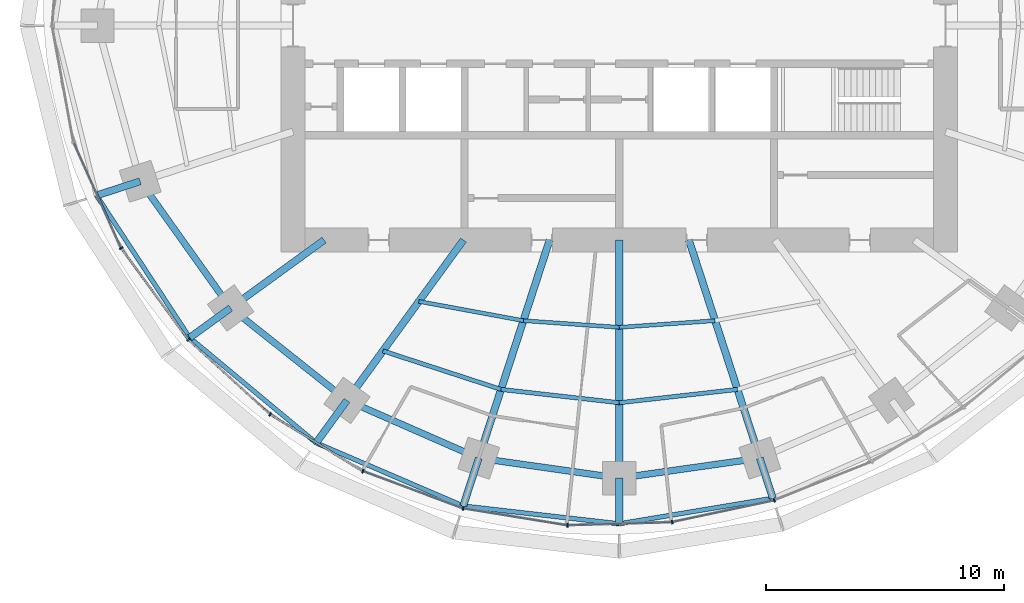
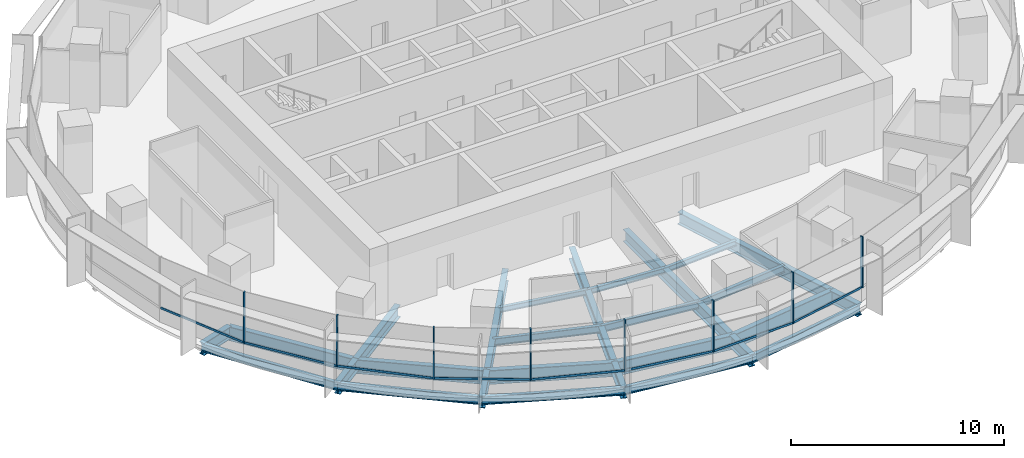
# One storey, part 2 of 15: 27 beams, 16 members, 2 elements without a shape of their own.
"""IFC4 building model written with IfcOpenShell, lengths in metres."""

from ifc_helpers import new_model, si_unit, direction, frame, origin, origin_2d, place, context, subcontext, project, spatial, rectangle, i_section, extrude, material, material_profile, profile_set, type_object, element, aggregate, save


model = new_model("IFC4")

# Units and contexts
model_context = context("Model", 3, precision=1e-05, world=origin(), true_north=direction((0.0, 1.0)))
body_context = subcontext(model_context, "Body", "Model", "MODEL_VIEW")
ifc_project = project(units=[si_unit("LENGTHUNIT", "METRE"), si_unit("AREAUNIT", "SQUARE_METRE"), si_unit("VOLUMEUNIT", "CUBIC_METRE"), si_unit("PLANEANGLEUNIT", "RADIAN"), si_unit("MASSUNIT", "GRAM", prefix="KILO")], contexts=[model_context])

# Site, building, storey
site_placement = place(None, origin())
site = spatial("IfcSite", under=ifc_project, at=site_placement, CompositionType="ELEMENT")
building_placement = place(site_placement, origin())
building = spatial("IfcBuilding", under=site, at=building_placement, Name="Marramba Exchange Tower", CompositionType="ELEMENT")
storey_placement = place(building_placement, frame((0.0, 0.0, 191.60009765625)))
storey = spatial("IfcBuildingStorey", under=building, at=storey_placement, Name="L46", CompositionType="ELEMENT", Elevation=191.60009765625)

# Beams
ifc_material_1 = material(Name="Steel AS/NZS 3679.2 grade 300", Category="steel")
ifc_material_profile_1 = material_profile(ifc_material_1, i_section(OverallWidth=0.300048828125, OverallDepth=0.699951171875, WebThickness=0.010009765625, FlangeThickness=0.031982421875, at=origin_2d()), Name="700WB173")
ifc_profile_set_1 = profile_set([ifc_material_profile_1], Name="Steel AS/NZS 3679.2 grade 300")
beam_type_1 = type_object("IfcBeamType", Name="Cantilever girder 700WB173", PredefinedType="BEAM", material=ifc_profile_set_1)
beam_1_placement = place(storey_placement, frame((-20.109375, -6.533935546875, -0.510009765625), z_axis=(-0.951071238541, -0.308971680287, 0.0), x_axis=(0.308971680287, -0.951071238541, 0.0)))
element("IfcBeam", 1, at=beam_1_placement, inside=storey, type_object=beam_type_1, Name="Cantilever girder L46 TC12", PredefinedType="BEAM", context=body_context, shape_type="SweptSolid", body=[
    extrude(i_section(OverallWidth=0.300048828125, OverallDepth=0.699951171875, WebThickness=0.010009765625, FlangeThickness=0.031982421875, at=origin_2d()), origin(), (0.0, 0.0, 1.0), 1.930419921875),
])
beam_2_placement = place(storey_placement, frame((-16.3154296875, -11.853759765625, -0.510009765625), z_axis=(-0.808969966943, -0.587849974555, 0.0), x_axis=(0.587849974555, -0.808969966943, 0.0)))
element("IfcBeam", 2, at=beam_2_placement, inside=storey, type_object=beam_type_1, Name="Cantilever girder L46 TC13", PredefinedType="BEAM", context=body_context, shape_type="SweptSolid", body=[
    extrude(i_section(OverallWidth=0.300048828125, OverallDepth=0.699951171875, WebThickness=0.010009765625, FlangeThickness=0.031982421875, at=origin_2d()), origin(), (0.0, 0.0, 1.0), 2.12109375),
])
beam_3_placement = place(storey_placement, frame((-11.430419921875, -15.732666015625, -0.510009765625), z_axis=(-0.587789596657, -0.809013837992, 0.0), x_axis=(0.809013837992, -0.587789596657, 0.0)))
element("IfcBeam", 3, at=beam_3_placement, inside=storey, type_object=beam_type_1, Name="Cantilever girder L46 TC14", PredefinedType="BEAM", context=body_context, shape_type="SweptSolid", body=[
    extrude(i_section(OverallWidth=0.300048828125, OverallDepth=0.699951171875, WebThickness=0.010009765625, FlangeThickness=0.031982421875, at=origin_2d()), origin(), (0.0, 0.0, 1.0), 2.203857421875),
])
beam_4_placement = place(storey_placement, frame((-5.899658203125, -18.156982421875, -0.510009765625), z_axis=(-0.308971068529, -0.951071437281, 0.0), x_axis=(0.951071437281, -0.308971068529, 0.0)))
element("IfcBeam", 4, at=beam_4_placement, inside=storey, type_object=beam_type_1, Name="Cantilever girder L46 TC15", PredefinedType="BEAM", context=body_context, shape_type="SweptSolid", body=[
    extrude(i_section(OverallWidth=0.300048828125, OverallDepth=0.699951171875, WebThickness=0.010009765625, FlangeThickness=0.031982421875, at=origin_2d()), origin(), (0.0, 0.0, 1.0), 2.112060546875),
])
beam_5_placement = place(storey_placement, frame((0.0, -18.99609375, -0.510009765625), z_axis=(0.0, -1.0, 0.0), x_axis=(1.0, 0.0, 0.0)))
element("IfcBeam", 5, at=beam_5_placement, inside=storey, type_object=beam_type_1, Name="Cantilever girder L46 TC16", PredefinedType="BEAM", context=body_context, shape_type="SweptSolid", body=[
    extrude(i_section(OverallWidth=0.300048828125, OverallDepth=0.699951171875, WebThickness=0.010009765625, FlangeThickness=0.031982421875, at=origin_2d()), origin(), (0.0, 0.0, 1.0), 1.917724609375),
])
beam_6_placement = place(storey_placement, frame((5.899658203125, -18.156982421875, -0.510009765625), z_axis=(0.308926813415, -0.951085813138, 0.0), x_axis=(0.951085813138, 0.308926813415, 0.0)))
element("IfcBeam", 6, at=beam_6_placement, inside=storey, type_object=beam_type_1, Name="Cantilever girder L46 TC17", PredefinedType="BEAM", context=body_context, shape_type="SweptSolid", body=[
    extrude(i_section(OverallWidth=0.300048828125, OverallDepth=0.699951171875, WebThickness=0.010009765625, FlangeThickness=0.031982421875, at=origin_2d()), origin(), (0.0, 0.0, 1.0), 1.767822265625),
])
ifc_material_2 = material(Name="Steel AS/NZS 3679.1 grade 300", Category="steel")
ifc_material_profile_2 = material_profile(ifc_material_2, i_section(OverallWidth=0.166015625, OverallDepth=0.306884765625, WebThickness=0.006591796875, FlangeThickness=0.01171875, FilletRadius=0.011474609375, at=origin_2d()), Name="310UB46.2")
ifc_profile_set_2 = profile_set([ifc_material_profile_2], Name="Steel AS/NZS 3679.1 grade 300")
beam_type_2 = type_object("IfcBeamType", Name="Floor joist 310UB46.2", PredefinedType="JOIST", material=ifc_profile_set_2)
beam_7_placement = place(storey_placement, frame((-8.41162109375, -11.57763671875, -0.3134765625), z_axis=(0.983455754421, -0.181148500119, 0.0), x_axis=(0.181148500119, 0.983455754421, 0.0)))
element("IfcBeam", 7, at=beam_7_placement, inside=storey, type_object=beam_type_2, Name="Joist L46 bay 14 row 1", PredefinedType="JOIST", context=body_context, shape_type="SweptSolid", body=[
    extrude(i_section(OverallWidth=0.166015625, OverallDepth=0.306884765625, WebThickness=0.006591796875, FlangeThickness=0.01171875, FilletRadius=0.011474609375, at=origin_2d()), origin(), (0.0, 0.0, 1.0), 4.4609375),
])
for number, where, z_axis, x_axis, name in (
    (8, (-4.0244140625, -12.3857421875, -0.3134765625), (0.99759625901, -0.069294328838, 0.0), (0.069294328838, 0.99759625901, 0.0), "Joist L46 bay 15 row 1"),
    (9, (0.0, -12.665283203125, -0.3134765625), (0.99759625901, 0.069294328838, 0.0), (-0.069294328838, 0.99759625901, 0.0), "Joist L46 bay 16 row 1"),
):
    element("IfcBeam", number, at=place(storey_placement, frame(where, z_axis=z_axis, x_axis=x_axis)), inside=storey, type_object=beam_type_2, Name=name, PredefinedType="JOIST", context=body_context, shape_type="SweptSolid", body=[
        extrude(i_section(OverallWidth=0.166015625, OverallDepth=0.306884765625, WebThickness=0.006591796875, FlangeThickness=0.01171875, FilletRadius=0.011474609375, at=origin_2d()), origin(), (0.0, 0.0, 1.0), 4.0341796875),
    ])
ifc_material_profile_3 = material_profile(ifc_material_2, i_section(OverallWidth=0.177978515625, OverallDepth=0.406005859375, WebThickness=0.0078125, FlangeThickness=0.0126953125, FilletRadius=0.011474609375, at=origin_2d()), Name="410UB59.7")
ifc_profile_set_3 = profile_set([ifc_material_profile_3], Name="Steel AS/NZS 3679.1 grade 300")
beam_type_3 = type_object("IfcBeamType", Name="Floor joist 410UB59.7", PredefinedType="JOIST", material=ifc_profile_set_3)
beam_8_placement = place(storey_placement, frame((-9.9208984375, -13.655029296875, -0.363037109375), z_axis=(0.950764024931, -0.309915744834, 0.0), x_axis=(0.309915744834, 0.950764024931, 0.0)))
element("IfcBeam", 10, at=beam_8_placement, inside=storey, type_object=beam_type_3, Name="Joist L46 bay 14 row 2", PredefinedType="JOIST", context=body_context, shape_type="SweptSolid", body=[
    extrude(i_section(OverallWidth=0.177978515625, OverallDepth=0.406005859375, WebThickness=0.0078125, FlangeThickness=0.0126953125, FilletRadius=0.011474609375, at=origin_2d()), origin(), (0.0, 0.0, 1.0), 5.2158203125),
])
for number, where, z_axis, x_axis, name in (
    (11, (-4.9619140625, -15.271484375, -0.363037109375), (0.993712018573, -0.111966174106, 0.0), (0.111966174106, 0.993712018573, 0.0), "Joist L46 bay 15 row 2"),
    (12, (0.0, -15.83056640625, -0.363037109375), (0.993712018573, 0.111966174106, 0.0), (-0.111966174106, 0.993712018573, 0.0), "Joist L46 bay 16 row 2"),
):
    element("IfcBeam", number, at=place(storey_placement, frame(where, z_axis=z_axis, x_axis=x_axis)), inside=storey, type_object=beam_type_3, Name=name, PredefinedType="JOIST", context=body_context, shape_type="SweptSolid", body=[
        extrude(i_section(OverallWidth=0.177978515625, OverallDepth=0.406005859375, WebThickness=0.0078125, FlangeThickness=0.0126953125, FilletRadius=0.011474609375, at=origin_2d()), origin(), (0.0, 0.0, 1.0), 4.993408203125),
    ])

# Curtain wall, members
ifc_material_3 = material(Name="Aluminium framing, bronze anodised", Category="aluminium")
curtain_wall_type = type_object("IfcCurtainWallType", Name="Office ribbon curtain wall", PredefinedType="USERDEFINED", material=ifc_material_3)
curtain_wall_1_placement = place(storey_placement, origin())
curtain_wall_1 = element("IfcCurtainWall", 13, at=curtain_wall_1_placement, inside=storey, type_object=curtain_wall_type, Name="Curtain wall CW4 L46 F16-F20", ObjectType="RIBBON CURTAIN WALL", PredefinedType="USERDEFINED")
ifc_material_4 = material(Name="Aluminium mullion, bronze anodised", Category="aluminium")
ifc_material_profile_4 = material_profile(ifc_material_4, rectangle(XDim=0.159912109375, YDim=0.06005859375, at=origin_2d()), Name="CW4 mullion 60x160")
ifc_profile_set_4 = profile_set([ifc_material_profile_4], Name="Aluminium mullion, bronze anodised")
member_type_1 = type_object("IfcMemberType", Name="Office ribbon curtain wall mullion", PredefinedType="MULLION", material=ifc_profile_set_4)
member_1_placement = place(storey_placement, frame((-20.910400390625, -9.342041015625, 0.7998046875), z_axis=(0.0, 0.0, 1.0), x_axis=(0.806508054547, 0.591223103363, 0.0)))
member_1 = element("IfcMember", 14, at=member_1_placement, type_object=member_type_1, Name="CW4 mullion 1", PredefinedType="MULLION", context=body_context, shape_type="SweptSolid", body=[
    extrude(rectangle(XDim=0.159912109375, YDim=0.06005859375, at=origin_2d()), origin(), (0.0, 0.0, 1.0), 2.940185546875),
])
member_2_placement = place(storey_placement, frame((-18.090087890625, -13.179443359375, 0.7998046875), z_axis=(0.0, 0.0, 1.0), x_axis=(0.67567103474, 0.737203264245, 0.0)))
member_2 = element("IfcMember", 15, at=member_2_placement, type_object=member_type_1, Name="CW4 mullion 1", PredefinedType="MULLION", context=body_context, shape_type="SweptSolid", body=[
    extrude(rectangle(XDim=0.159912109375, YDim=0.06005859375, at=origin_2d()), origin(), (0.0, 0.0, 1.0), 2.940185546875),
])
member_3_placement = place(storey_placement, frame((-14.655029296875, -16.320068359375, 0.7998046875), z_axis=(0.0, 0.0, 1.0), x_axis=(0.52305160869, 0.85230101176, 0.0)))
member_3 = element("IfcMember", 16, at=member_3_placement, type_object=member_type_1, Name="CW4 mullion 1", PredefinedType="MULLION", context=body_context, shape_type="SweptSolid", body=[
    extrude(rectangle(XDim=0.159912109375, YDim=0.06005859375, at=origin_2d()), origin(), (0.0, 0.0, 1.0), 2.940185546875),
])

curtain_wall_2_placement = place(storey_placement, origin())
curtain_wall_2 = element("IfcCurtainWall", 17, at=curtain_wall_2_placement, inside=storey, type_object=curtain_wall_type, Name="Curtain wall CW4 L46 F21-F25", ObjectType="RIBBON CURTAIN WALL", PredefinedType="USERDEFINED")
member_4_placement = place(storey_placement, frame((-10.76318359375, -18.70166015625, 0.7998046875), z_axis=(0.0, 0.0, 1.0), x_axis=(0.349459197687, 0.936951583142, 0.0)))
member_4 = element("IfcMember", 18, at=member_4_placement, type_object=member_type_1, Name="CW4 mullion 1", PredefinedType="MULLION", context=body_context, shape_type="SweptSolid", body=[
    extrude(rectangle(XDim=0.159912109375, YDim=0.06005859375, at=origin_2d()), origin(), (0.0, 0.0, 1.0), 2.940185546875),
])
member_5_placement = place(storey_placement, frame((-6.553466796875, -20.265625, 0.7998046875), z_axis=(0.0, 0.0, 1.0), x_axis=(0.161145726194, 0.986930623159, 0.0)))
member_5 = element("IfcMember", 19, at=member_5_placement, type_object=member_type_1, Name="CW4 mullion 1", PredefinedType="MULLION", context=body_context, shape_type="SweptSolid", body=[
    extrude(rectangle(XDim=0.159912109375, YDim=0.06005859375, at=origin_2d()), origin(), (0.0, 0.0, 1.0), 2.940185546875),
])
member_6_placement = place(storey_placement, frame((-2.174560546875, -20.974853515625, 0.7998046875), z_axis=(0.0, 0.0, 1.0), x_axis=(-0.029393451762, 0.99956791915, 0.0)))
member_6 = element("IfcMember", 20, at=member_6_placement, type_object=member_type_1, Name="CW4 mullion 1", PredefinedType="MULLION", context=body_context, shape_type="SweptSolid", body=[
    extrude(rectangle(XDim=0.159912109375, YDim=0.06005859375, at=origin_2d()), origin(), (0.0, 0.0, 1.0), 2.940185546875),
])
member_7_placement = place(storey_placement, frame((2.220458984375, -20.840087890625, 0.7998046875), z_axis=(0.0, 0.0, 1.0), x_axis=(-0.208332456608, 0.978058069607, 0.0)))
member_7 = element("IfcMember", 21, at=member_7_placement, type_object=member_type_1, Name="CW4 mullion 1", PredefinedType="MULLION", context=body_context, shape_type="SweptSolid", body=[
    extrude(rectangle(XDim=0.159912109375, YDim=0.06005859375, at=origin_2d()), origin(), (0.0, 0.0, 1.0), 2.940185546875),
])
member_8_placement = place(storey_placement, frame((6.504638671875, -19.922607421875, 0.7998046875), z_axis=(0.0, 0.0, 1.0), x_axis=(-0.367374724195, 0.93007301435, 0.0)))
member_8 = element("IfcMember", 22, at=member_8_placement, type_object=member_type_1, Name="CW4 mullion 1", PredefinedType="MULLION", context=body_context, shape_type="SweptSolid", body=[
    extrude(rectangle(XDim=0.159912109375, YDim=0.06005859375, at=origin_2d()), origin(), (0.0, 0.0, 1.0), 2.940185546875),
])

# Member
ifc_material_5 = material(Name="Aluminium transom, bronze anodised", Category="aluminium")
ifc_material_profile_5 = material_profile(ifc_material_5, rectangle(XDim=0.06005859375, YDim=0.1201171875, at=origin_2d()), Name="CW4 transom 60x120")
ifc_profile_set_5 = profile_set([ifc_material_profile_5], Name="Aluminium transom, bronze anodised")
member_type_2 = type_object("IfcMemberType", Name="Office ribbon curtain wall transom", PredefinedType="USERDEFINED", material=ifc_profile_set_5)
member_9_placement = place(storey_placement, frame((-22.888671875, -4.925048828125, 0.829833984375), z_axis=(0.407541263131, -0.913186792965, 0.0), x_axis=(0.913186792965, 0.407541263131, 0.0)))
member_9 = element("IfcMember", 23, at=member_9_placement, type_object=member_type_2, Name="CW4 sill transom", ObjectType="TRANSOM", PredefinedType="USERDEFINED", context=body_context, shape_type="SweptSolid", body=[
    extrude(rectangle(XDim=0.06005859375, YDim=0.1201171875, at=origin_2d()), origin(), (0.0, 0.0, 1.0), 4.810546875),
])

member_10_placement = place(storey_placement, frame((-20.892578125, -9.3662109375, 0.829833984375), z_axis=(0.591226373184, -0.806505657545, 0.0), x_axis=(0.806505657545, 0.591226373184, 0.0)))
member_10 = element("IfcMember", 24, at=member_10_placement, type_object=member_type_2, Name="CW4 sill transom", ObjectType="TRANSOM", PredefinedType="USERDEFINED", context=body_context, shape_type="SweptSolid", body=[
    extrude(rectangle(XDim=0.06005859375, YDim=0.1201171875, at=origin_2d()), origin(), (0.0, 0.0, 1.0), 4.702880859375),
])

member_11_placement = place(storey_placement, frame((-18.06787109375, -13.19970703125, 0.829833984375), z_axis=(0.737176195283, -0.675700567639, 0.0), x_axis=(0.675700567639, 0.737176195283, 0.0)))
member_11 = element("IfcMember", 25, at=member_11_placement, type_object=member_type_2, Name="CW4 sill transom", ObjectType="TRANSOM", PredefinedType="USERDEFINED", context=body_context, shape_type="SweptSolid", body=[
    extrude(rectangle(XDim=0.06005859375, YDim=0.1201171875, at=origin_2d()), origin(), (0.0, 0.0, 1.0), 4.5947265625),
])

member_12_placement = place(storey_placement, frame((-14.62939453125, -16.335693359375, 0.829833984375), z_axis=(0.852298011003, -0.523056498325, 0.0), x_axis=(0.523056498325, 0.852298011003, 0.0)))
member_12 = element("IfcMember", 26, at=member_12_placement, type_object=member_type_2, Name="CW4 sill transom", ObjectType="TRANSOM", PredefinedType="USERDEFINED", context=body_context, shape_type="SweptSolid", body=[
    extrude(rectangle(XDim=0.06005859375, YDim=0.1201171875, at=origin_2d()), origin(), (0.0, 0.0, 1.0), 4.503173828125),
])

aggregate(curtain_wall_1, [member_9, member_1, member_10, member_2, member_11, member_3, member_12])

member_13_placement = place(storey_placement, frame((-10.735107421875, -18.712158203125, 0.829833984375), z_axis=(0.936954830677, -0.349450490444, 0.0), x_axis=(0.349450490444, 0.936954830677, 0.0)))
member_13 = element("IfcMember", 27, at=member_13_placement, type_object=member_type_2, Name="CW4 sill transom", ObjectType="TRANSOM", PredefinedType="USERDEFINED", context=body_context, shape_type="SweptSolid", body=[
    extrude(rectangle(XDim=0.06005859375, YDim=0.1201171875, at=origin_2d()), origin(), (0.0, 0.0, 1.0), 4.431396484375),
])

member_14_placement = place(storey_placement, frame((-6.52392578125, -20.2705078125, 0.829833984375), z_axis=(0.986937225488, -0.161105285282, 0.0), x_axis=(0.161105285282, 0.986937225488, 0.0)))
member_14 = element("IfcMember", 28, at=member_14_placement, type_object=member_type_2, Name="CW4 sill transom", ObjectType="TRANSOM", PredefinedType="USERDEFINED", context=body_context, shape_type="SweptSolid", body=[
    extrude(rectangle(XDim=0.06005859375, YDim=0.1201171875, at=origin_2d()), origin(), (0.0, 0.0, 1.0), 4.37646484375),
])

member_15_placement = place(storey_placement, frame((-2.144775390625, -20.973876953125, 0.829833984375), z_axis=(0.999568338005, 0.029379204529, 0.0), x_axis=(-0.029379204529, 0.999568338005, 0.0)))
member_15 = element("IfcMember", 29, at=member_15_placement, type_object=member_type_2, Name="CW4 sill transom", ObjectType="TRANSOM", PredefinedType="USERDEFINED", context=body_context, shape_type="SweptSolid", body=[
    extrude(rectangle(XDim=0.06005859375, YDim=0.1201171875, at=origin_2d()), origin(), (0.0, 0.0, 1.0), 4.337890625),
])

member_16_placement = place(storey_placement, frame((2.249755859375, -20.833984375, 0.829833984375), z_axis=(0.978057951839, 0.208333009494, 0.0), x_axis=(-0.208333009494, 0.978057951839, 0.0)))
member_16 = element("IfcMember", 30, at=member_16_placement, type_object=member_type_2, Name="CW4 sill transom", ObjectType="TRANSOM", PredefinedType="USERDEFINED", context=body_context, shape_type="SweptSolid", body=[
    extrude(rectangle(XDim=0.06005859375, YDim=0.1201171875, at=origin_2d()), origin(), (0.0, 0.0, 1.0), 4.32177734375),
])

aggregate(curtain_wall_2, [member_4, member_13, member_5, member_14, member_6, member_15, member_7, member_16, member_8])

# Beams
ifc_material_profile_6 = material_profile(ifc_material_1, i_section(OverallWidth=0.300048828125, OverallDepth=0.699951171875, WebThickness=0.010009765625, FlangeThickness=0.031982421875, at=origin_2d()), Name="700WB173")
ifc_profile_set_6 = profile_set([ifc_material_profile_6], Name="Steel AS/NZS 3679.2 grade 300")
beam_type_4 = type_object("IfcBeamType", Name="Radial girder 700WB173", PredefinedType="BEAM", material=ifc_profile_set_6)
beam_9_placement = place(storey_placement, frame((-12.387451171875, -9.0, -0.510009765625), z_axis=(-0.809025189606, -0.58777397236, 0.0), x_axis=(0.58777397236, -0.809025189606, 0.0)))
element("IfcBeam", 31, at=beam_9_placement, inside=storey, type_object=beam_type_4, Name="Radial girder L46 TC13", PredefinedType="BEAM", context=body_context, shape_type="SweptSolid", body=[
    extrude(i_section(OverallWidth=0.300048828125, OverallDepth=0.699951171875, WebThickness=0.010009765625, FlangeThickness=0.031982421875, at=origin_2d()), origin(), (0.0, 0.0, 1.0), 4.855224609375),
])
beam_10_placement = place(storey_placement, frame((-6.538818359375, -9.0, -0.510009765625), z_axis=(-0.587787877172, -0.809015087282, 0.0), x_axis=(0.809015087282, -0.587787877172, 0.0)))
element("IfcBeam", 32, at=beam_10_placement, inside=storey, type_object=beam_type_4, Name="Radial girder L46 TC14", PredefinedType="BEAM", context=body_context, shape_type="SweptSolid", body=[
    extrude(i_section(OverallWidth=0.300048828125, OverallDepth=0.699951171875, WebThickness=0.010009765625, FlangeThickness=0.031982421875, at=origin_2d()), origin(), (0.0, 0.0, 1.0), 8.322021484375),
])
beam_11_placement = place(storey_placement, frame((-2.92431640625, -9.0, -0.510009765625), z_axis=(-0.309022428985, -0.951054750466, 0.0), x_axis=(0.951054750466, -0.309022428985, 0.0)))
element("IfcBeam", 33, at=beam_11_placement, inside=storey, type_object=beam_type_4, Name="Radial girder L46 TC15", PredefinedType="BEAM", context=body_context, shape_type="SweptSolid", body=[
    extrude(i_section(OverallWidth=0.300048828125, OverallDepth=0.699951171875, WebThickness=0.010009765625, FlangeThickness=0.031982421875, at=origin_2d()), origin(), (0.0, 0.0, 1.0), 9.628173828125),
])
beam_12_placement = place(storey_placement, frame((0.0, -9.0, -0.510009765625), z_axis=(0.0, -1.0, 0.0), x_axis=(1.0, 0.0, 0.0)))
element("IfcBeam", 34, at=beam_12_placement, inside=storey, type_object=beam_type_4, Name="Radial girder L46 TC16", PredefinedType="BEAM", context=body_context, shape_type="SweptSolid", body=[
    extrude(i_section(OverallWidth=0.300048828125, OverallDepth=0.699951171875, WebThickness=0.010009765625, FlangeThickness=0.031982421875, at=origin_2d()), origin(), (0.0, 0.0, 1.0), 9.99609375),
])
beam_13_placement = place(storey_placement, frame((2.92431640625, -9.0, -0.510009765625), z_axis=(0.309022428985, -0.951054750466, 0.0), x_axis=(0.951054750466, 0.309022428985, 0.0)))
element("IfcBeam", 35, at=beam_13_placement, inside=storey, type_object=beam_type_4, Name="Radial girder L46 TC17", PredefinedType="BEAM", context=body_context, shape_type="SweptSolid", body=[
    extrude(i_section(OverallWidth=0.300048828125, OverallDepth=0.699951171875, WebThickness=0.010009765625, FlangeThickness=0.031982421875, at=origin_2d()), origin(), (0.0, 0.0, 1.0), 9.628173828125),
])
ifc_material_profile_7 = material_profile(ifc_material_1, i_section(OverallWidth=0.27490234375, OverallDepth=0.800048828125, WebThickness=0.010009765625, FlangeThickness=0.02490234375, at=origin_2d()), Name="800WB168")
ifc_profile_set_7 = profile_set([ifc_material_profile_7], Name="Steel AS/NZS 3679.2 grade 300")
beam_type_5 = type_object("IfcBeamType", Name="Ring beam 800WB168", PredefinedType="SPANDREL", material=ifc_profile_set_7)
beam_14_placement = place(storey_placement, frame((-20.109375, -6.533935546875, -0.56005859375), z_axis=(0.580637181111, -0.814162430914, 0.0), x_axis=(0.814162430914, 0.580637181111, 0.0)))
element("IfcBeam", 36, at=beam_14_placement, inside=storey, type_object=beam_type_5, Name="Ring beam L46 TC12-TC13", PredefinedType="SPANDREL", context=body_context, shape_type="SweptSolid", body=[
    extrude(i_section(OverallWidth=0.27490234375, OverallDepth=0.800048828125, WebThickness=0.010009765625, FlangeThickness=0.02490234375, at=origin_2d()), origin(), (0.0, 0.0, 1.0), 6.5341796875),
])
beam_15_placement = place(storey_placement, frame((-16.3154296875, -11.853759765625, -0.56005859375), z_axis=(0.783139438128, -0.621846138887, 0.0), x_axis=(0.621846138887, 0.783139438128, 0.0)))
element("IfcBeam", 37, at=beam_15_placement, inside=storey, type_object=beam_type_5, Name="Ring beam L46 TC13-TC14", PredefinedType="SPANDREL", context=body_context, shape_type="SweptSolid", body=[
    extrude(i_section(OverallWidth=0.27490234375, OverallDepth=0.800048828125, WebThickness=0.010009765625, FlangeThickness=0.02490234375, at=origin_2d()), origin(), (0.0, 0.0, 1.0), 6.23779296875),
])
beam_16_placement = place(storey_placement, frame((-11.430419921875, -15.732666015625, -0.56005859375), z_axis=(0.915876892158, -0.4014592363, 0.0), x_axis=(0.4014592363, 0.915876892158, 0.0)))
element("IfcBeam", 38, at=beam_16_placement, inside=storey, type_object=beam_type_5, Name="Ring beam L46 TC14-TC15", PredefinedType="SPANDREL", context=body_context, shape_type="SweptSolid", body=[
    extrude(i_section(OverallWidth=0.27490234375, OverallDepth=0.800048828125, WebThickness=0.010009765625, FlangeThickness=0.02490234375, at=origin_2d()), origin(), (0.0, 0.0, 1.0), 6.038818359375),
])
for number, where, z_axis, x_axis, name in (
    (39, (-5.899658203125, -18.156982421875, -0.56005859375), (0.990036163016, -0.140813337152, 0.0), (0.140813337152, 0.990036163016, 0.0), "Ring beam L46 TC15-TC16"),
    (40, (0.0, -18.99609375, -0.56005859375), (0.990036163016, 0.140813337152, 0.0), (-0.140813337152, 0.990036163016, 0.0), "Ring beam L46 TC16-TC17"),
):
    element("IfcBeam", number, at=place(storey_placement, frame(where, z_axis=z_axis, x_axis=x_axis)), inside=storey, type_object=beam_type_5, Name=name, PredefinedType="SPANDREL", context=body_context, shape_type="SweptSolid", body=[
        extrude(i_section(OverallWidth=0.27490234375, OverallDepth=0.800048828125, WebThickness=0.010009765625, FlangeThickness=0.02490234375, at=origin_2d()), origin(), (0.0, 0.0, 1.0), 5.958984375),
    ])
ifc_material_profile_8 = material_profile(ifc_material_2, i_section(OverallWidth=0.19091796875, OverallDepth=0.4599609375, WebThickness=0.010009765625, FlangeThickness=0.01611328125, FilletRadius=0.011474609375, at=origin_2d()), Name="460UB82.1")
ifc_profile_set_8 = profile_set([ifc_material_profile_8], Name="Steel AS/NZS 3679.1 grade 300")
beam_type_6 = type_object("IfcBeamType", Name="Slab edge beam 460UB82.1", PredefinedType="SPANDREL", material=ifc_profile_set_8)
beam_17_placement = place(storey_placement, frame((-21.9453125, -7.13037109375, -0.39013671875), z_axis=(0.548275412052, -0.83629783722, 0.0), x_axis=(0.83629783722, 0.548275412052, 0.0)))
element("IfcBeam", 41, at=beam_17_placement, inside=storey, type_object=beam_type_6, Name="Slab edge beam L46 TC12-TC13", PredefinedType="SPANDREL", context=body_context, shape_type="SweptSolid", body=[
    extrude(i_section(OverallWidth=0.19091796875, OverallDepth=0.4599609375, WebThickness=0.010009765625, FlangeThickness=0.01611328125, FilletRadius=0.011474609375, at=origin_2d()), origin(), (0.0, 0.0, 1.0), 7.138916015625),
])
beam_18_placement = place(storey_placement, frame((-18.03125, -13.1005859375, -0.39013671875), z_axis=(0.768658895231, -0.639658895649, 0.0), x_axis=(0.639658895649, 0.768658895231, 0.0)))
element("IfcBeam", 42, at=beam_18_placement, inside=storey, type_object=beam_type_6, Name="Slab edge beam L46 TC13-TC14", PredefinedType="SPANDREL", context=body_context, shape_type="SweptSolid", body=[
    extrude(i_section(OverallWidth=0.19091796875, OverallDepth=0.4599609375, WebThickness=0.010009765625, FlangeThickness=0.01611328125, FilletRadius=0.011474609375, at=origin_2d()), origin(), (0.0, 0.0, 1.0), 6.902099609375),
])
beam_19_placement = place(storey_placement, frame((-12.725830078125, -17.515625, -0.39013671875), z_axis=(0.9189117964, -0.394463065999, 0.0), x_axis=(0.394463065999, 0.9189117964, 0.0)))
element("IfcBeam", 43, at=beam_19_placement, inside=storey, type_object=beam_type_6, Name="Slab edge beam L46 TC14-TC15", PredefinedType="SPANDREL", context=body_context, shape_type="SweptSolid", body=[
    extrude(i_section(OverallWidth=0.19091796875, OverallDepth=0.4599609375, WebThickness=0.010009765625, FlangeThickness=0.01611328125, FilletRadius=0.011474609375, at=origin_2d()), origin(), (0.0, 0.0, 1.0), 6.71826171875),
])
beam_20_placement = place(storey_placement, frame((-6.55224609375, -20.165771484375, -0.39013671875), z_axis=(0.993546030009, -0.113429653325, 0.0), x_axis=(0.113429653325, 0.993546030009, 0.0)))
element("IfcBeam", 44, at=beam_20_placement, inside=storey, type_object=beam_type_6, Name="Slab edge beam L46 TC15-TC16", PredefinedType="SPANDREL", context=body_context, shape_type="SweptSolid", body=[
    extrude(i_section(OverallWidth=0.19091796875, OverallDepth=0.4599609375, WebThickness=0.010009765625, FlangeThickness=0.01611328125, FilletRadius=0.011474609375, at=origin_2d()), origin(), (0.0, 0.0, 1.0), 6.5947265625),
])
beam_21_placement = place(storey_placement, frame((0.0, -20.913818359375, -0.39013671875), z_axis=(0.986365637189, 0.164568617219, 0.0), x_axis=(-0.164568617219, 0.986365637189, 0.0)))
element("IfcBeam", 45, at=beam_21_placement, inside=storey, type_object=beam_type_6, Name="Slab edge beam L46 TC16-TC17", PredefinedType="SPANDREL", context=body_context, shape_type="SweptSolid", body=[
    extrude(i_section(OverallWidth=0.19091796875, OverallDepth=0.4599609375, WebThickness=0.010009765625, FlangeThickness=0.01611328125, FilletRadius=0.011474609375, at=origin_2d()), origin(), (0.0, 0.0, 1.0), 6.534912109375),
])

save(model, "model.ifc")
